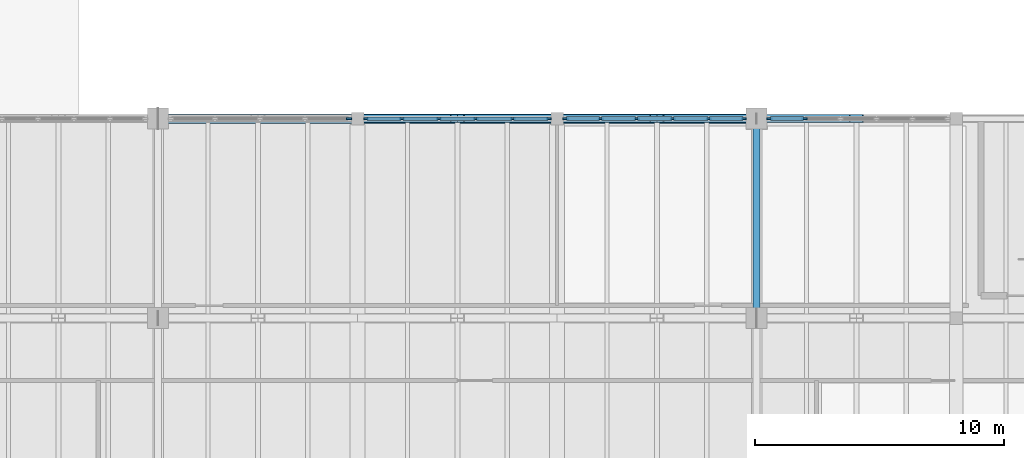
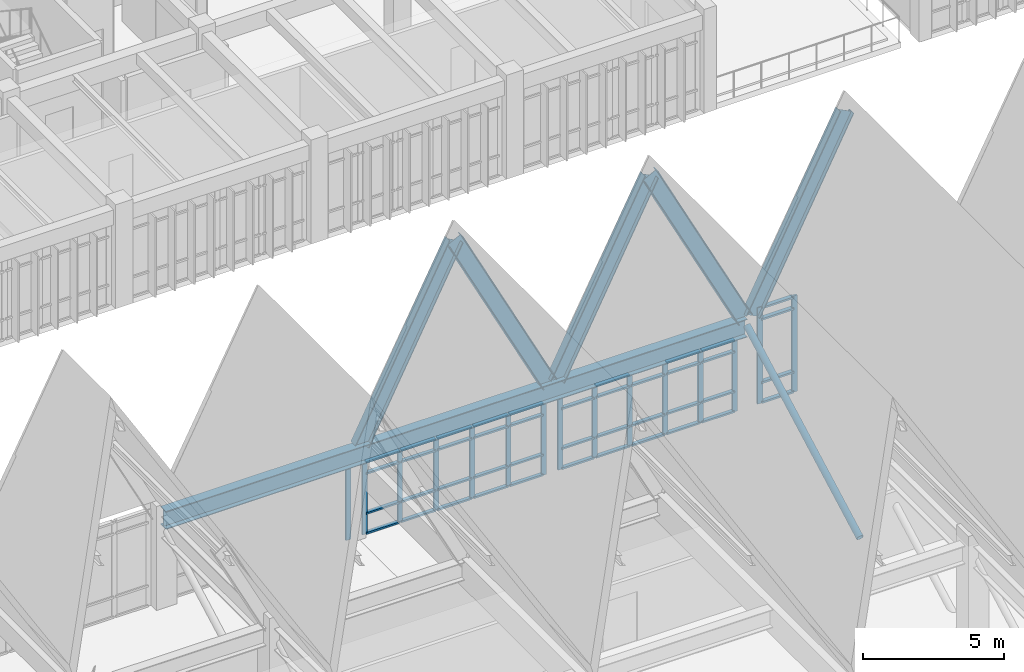
# One storey, part 18 of 72: 65 members, 1 beam, 4 elements without a shape of their own.
"""IFC4 building model written with IfcOpenShell, lengths in metres."""

import ifcopenshell
import ifcopenshell.guid

model = None  # the IFC model being written
_history = None  # IfcOwnerHistory: only IFC2X3 demands one
_inside = {}  # id of a spatial element -> (the spatial element, [elements in it])
_under = {}  # id of a project, library or spatial element -> (it, [spatial elements below it])
_declared = {}  # id of a project -> (the project, [libraries it declares])
_typed = {}  # id of a type object -> (the type object, [elements of that type])
_made_of = {}  # id of a material, layer set ... -> (it, [elements and type objects made of it])


def new_model(schema):
    """Start an empty IFC model of exactly this schema.

    Asked for "IFC4X3", IfcOpenShell would pick the latest addendum, in which some entities
    have other attributes; the version numbers below select the first issue.
    IFC2X3 requires an IfcOwnerHistory on every rooted entity: one is made here for all.
    """
    global model, _history
    if schema == "IFC4X3":
        model = ifcopenshell.file(schema_version=(4, 3, 0, 0))
    else:
        model = ifcopenshell.file(schema=schema)
    _inside.clear()
    _under.clear()
    _declared.clear()
    _typed.clear()
    _made_of.clear()
    _history = None
    if model.schema == "IFC2X3":
        org = make("IfcOrganization", Name="unknown")
        user = make(
            "IfcPersonAndOrganization",
            ThePerson=make("IfcPerson", FamilyName="unknown"),
            TheOrganization=org,
        )
        app = make(
            "IfcApplication",
            ApplicationDeveloper=org,
            Version="unknown",
            ApplicationFullName="unknown",
            ApplicationIdentifier="unknown",
        )
        _history = make(
            "IfcOwnerHistory",
            OwningUser=user,
            OwningApplication=app,
            ChangeAction="ADDED",
            CreationDate=0,
        )
    return model


def make(cls, **values):
    """One entity of the class cls with the attributes given. An attribute that is None is left unset."""
    return model.create_entity(
        cls, **{name: value for name, value in values.items() if value is not None}
    )


def rooted(cls, **values):
    """An entity with a GlobalId (a new one), such as an element, a storey or a relation."""
    return make(cls, GlobalId=ifcopenshell.guid.new(), OwnerHistory=_history, **values)


def si_unit(unit_type, name, prefix=None):
    """IfcSIUnit, for example si_unit("LENGTHUNIT", "METRE", prefix="MILLI")."""
    return make("IfcSIUnit", UnitType=unit_type, Prefix=prefix, Name=name)


def assignment(units):
    """IfcUnitAssignment: the units of a project."""
    return None if units is None else make("IfcUnitAssignment", Units=units)


def point(xyz):
    """IfcCartesianPoint."""
    return None if xyz is None else make("IfcCartesianPoint", Coordinates=xyz)


def direction(xyz):
    """IfcDirection."""
    return None if xyz is None else make("IfcDirection", DirectionRatios=xyz)


def frame(location, z_axis=None, x_axis=None):
    """IfcAxis2Placement3D, a coordinate frame: its origin and axes. An axis left out is left unset."""
    return make(
        "IfcAxis2Placement3D",
        Location=point(location),
        Axis=direction(z_axis),
        RefDirection=direction(x_axis),
    )


def frame_2d(location, x_axis=None):
    """IfcAxis2Placement2D, a coordinate frame in the plane: its origin and x axis."""
    return make(
        "IfcAxis2Placement2D", Location=point(location), RefDirection=direction(x_axis)
    )


def origin():
    """The frame at (0, 0, 0) with its axes left unset."""
    return frame((0.0, 0.0, 0.0))


def origin_2d():
    """The frame at (0, 0) in the plane with its x axis left unset."""
    return frame_2d((0.0, 0.0))


def place(relative_to, where):
    """IfcLocalPlacement: puts the frame where relative to a parent placement (None: the world)."""
    return make(
        "IfcLocalPlacement", PlacementRelTo=relative_to, RelativePlacement=where
    )


def context(
    kind, dimensions, precision=None, world=None, true_north=None, identifier=None
):
    """IfcGeometricRepresentationContext, for example the 3D "Model" context."""
    return make(
        "IfcGeometricRepresentationContext",
        ContextIdentifier=identifier,
        ContextType=kind,
        CoordinateSpaceDimension=dimensions,
        Precision=precision,
        WorldCoordinateSystem=world,
        TrueNorth=true_north,
    )


def subcontext(parent, identifier, kind, view, scale=None):
    """IfcGeometricRepresentationSubContext, for example "Body" below "Model"."""
    return make(
        "IfcGeometricRepresentationSubContext",
        ContextIdentifier=identifier,
        ContextType=kind,
        ParentContext=parent,
        TargetScale=scale,
        TargetView=view,
    )


def project(units=None, contexts=None):
    """IfcProject with its units and contexts."""
    return rooted(
        "IfcProject",
        Name="project",
        RepresentationContexts=contexts,
        UnitsInContext=assignment(units),
    )


def spatial(cls, under=None, at=None, **own):
    """A site, building, storey or space (cls), placed at a placement, below another one or the project."""
    s = rooted(cls, ObjectPlacement=at, **own)
    if under is not None:
        _under.setdefault(under.id(), (under, []))[1].append(s)
    return s


def profile(cls, at=None, kind="AREA", **sizes):
    """A parametric profile (cls). Its sizes go by their IFC names, for example OverallWidth=200.0."""
    return make(cls, ProfileType=kind, Position=at, **sizes)


def rectangle(**sizes):
    """IfcRectangleProfileDef."""
    return profile("IfcRectangleProfileDef", **sizes)


def hollow_circle(**sizes):
    """IfcCircleHollowProfileDef."""
    return profile("IfcCircleHollowProfileDef", **sizes)


def i_section(**sizes):
    """IfcIShapeProfileDef."""
    return profile("IfcIShapeProfileDef", **sizes)


def extrude(swept, where, along, depth):
    """IfcExtrudedAreaSolid: the profile swept, set in the frame where, extruded along a direction by depth."""
    return make(
        "IfcExtrudedAreaSolid",
        SweptArea=swept,
        Position=where,
        ExtrudedDirection=direction(along),
        Depth=depth,
    )


def shape(context_of_items, identifier, shape_type, items):
    """IfcShapeRepresentation: the items that make up one representation, for example the "Body"."""
    return make(
        "IfcShapeRepresentation",
        ContextOfItems=context_of_items,
        RepresentationIdentifier=identifier,
        RepresentationType=shape_type,
        Items=items,
    )


def material(Name=None, Category=None):
    """IfcMaterial."""
    return make("IfcMaterial", Name=Name, Category=Category)


def material_profile(
    of_material, cross_section, Name=None, Category=None, Priority=None
):
    """IfcMaterialProfile: a cross section and its material."""
    return make(
        "IfcMaterialProfile",
        Name=Name,
        Material=of_material,
        Profile=cross_section,
        Priority=Priority,
        Category=Category,
    )


def profile_set(profiles, Name=None, composite=None):
    """IfcMaterialProfileSet."""
    return make(
        "IfcMaterialProfileSet",
        Name=Name,
        MaterialProfiles=profiles,
        CompositeProfile=composite,
    )


def made_of(thing, what):
    """Note that an element or type object is made of a material, layer set ...; save() writes the relation."""
    if what is not None:
        _made_of.setdefault(what.id(), (what, []))[1].append(thing)
    return thing


def type_object(cls, material=None, **own):
    """A type object (cls), such as IfcWallType, which elements share."""
    return made_of(rooted(cls, **own), material)


def element(
    cls,
    number,
    at=None,
    inside=None,
    cuts=None,
    type_object=None,
    material=None,
    context=None,
    identifier="Body",
    shape_type=None,
    held_by="IfcProductDefinitionShape",
    body=None,
    shapes=None,
    **own,
):
    """One element of the class cls, such as IfcWall. Its Tag is "e" and its number.

    at: its placement. inside: the storey or other place that contains it. cuts: it is an
    opening in that element (IfcRelVoidsElement). A single representation is given by context,
    identifier, shape_type and body (its items); several are given by shapes. held_by: the class
    of the entity that holds the representations. save() writes the other relations.
    """
    e = rooted(cls, Tag="e%d" % number, ObjectPlacement=at, **own)
    if body is not None:
        shapes = [shape(context, identifier, shape_type, body)]
    if shapes is not None:
        e.Representation = make(held_by, Representations=shapes)
    if inside is not None:
        _inside.setdefault(inside.id(), (inside, []))[1].append(e)
    if cuts is not None:
        rooted(
            "IfcRelVoidsElement", RelatingBuildingElement=cuts, RelatedOpeningElement=e
        )
    if type_object is not None:
        _typed.setdefault(type_object.id(), (type_object, []))[1].append(e)
    return made_of(e, material)


def aggregate(whole, parts):
    """IfcRelAggregates: a whole, such as a stair, and the parts it consists of."""
    return rooted("IfcRelAggregates", RelatingObject=whole, RelatedObjects=parts)


def save(model, path):
    """Write the relations noted so far, then the file.

    IfcRelAggregates (storeys below a building ...), IfcRelContainedInSpatialStructure (elements
    in a storey), IfcRelDefinesByType, IfcRelAssociatesMaterial and IfcRelDeclares: one each for
    every whole, place, type object, material and project.
    """
    for whole, parts in _under.values():
        aggregate(whole, parts)
    for where, things in _inside.values():
        rooted(
            "IfcRelContainedInSpatialStructure",
            RelatedElements=things,
            RelatingStructure=where,
        )
    for kind, things in _typed.values():
        rooted("IfcRelDefinesByType", RelatedObjects=things, RelatingType=kind)
    for what, things in _made_of.values():
        rooted("IfcRelAssociatesMaterial", RelatedObjects=things, RelatingMaterial=what)
    for by, libraries in _declared.values():
        rooted("IfcRelDeclares", RelatingContext=by, RelatedDefinitions=libraries)
    model.write(path)


model = new_model("IFC4")

# Units and contexts
model_context = context("Model", 3, precision=1e-05, world=origin(), true_north=direction((0.0, 1.0)))
body_context = subcontext(model_context, "Body", "Model", "MODEL_VIEW")
ifc_project = project(units=[si_unit("LENGTHUNIT", "METRE"), si_unit("AREAUNIT", "SQUARE_METRE"), si_unit("VOLUMEUNIT", "CUBIC_METRE"), si_unit("PLANEANGLEUNIT", "RADIAN"), si_unit("MASSUNIT", "GRAM", prefix="KILO")], contexts=[model_context])

# Site, building, storey
site_placement = place(None, origin())
site = spatial("IfcSite", under=ifc_project, at=site_placement, CompositionType="ELEMENT")
building_placement = place(site_placement, origin())
building = spatial("IfcBuilding", under=site, at=building_placement, Name="Tlaxcora Railside Police Headquarters", CompositionType="ELEMENT")
storey_placement = place(building_placement, frame((0.0, 0.0, 13.5)))
storey = spatial("IfcBuildingStorey", under=building, at=storey_placement, Name="L03", CompositionType="ELEMENT", Elevation=13.5)

# Curtain wall, members
ifc_material_1 = material(Name="Thermally broken low-E insulated glazing", Category="glass")
curtain_wall_type_1 = type_object("IfcCurtainWallType", Name="Unitised Curtain Wall Assembly CW-23", PredefinedType="NOTDEFINED", material=ifc_material_1)
curtain_wall_1_placement = place(storey_placement, origin())
curtain_wall_1 = element("IfcCurtainWall", 1, at=curtain_wall_1_placement, inside=storey, type_object=curtain_wall_type_1, Name="V2 L03 curtain wall 16", PredefinedType="NOTDEFINED")
ifc_material_2 = material(Name="Anodised aluminium framing", Category="aluminium")
ifc_material_profile_1 = material_profile(ifc_material_2, rectangle(XDim=0.080078125, YDim=0.219970703125, at=origin_2d()), Name="AL80X220")
ifc_profile_set_1 = profile_set([ifc_material_profile_1], Name="Anodised aluminium framing")
member_type_1 = type_object("IfcMemberType", Name="Curtain Wall Mullion CW-31", PredefinedType="MULLION", material=ifc_profile_set_1)
member_1_placement = place(storey_placement, frame((87.919921875, 60.0, 0.0), z_axis=(0.0, 0.0, 1.0), x_axis=(0.0, -1.0, 0.0)))
member_1 = element("IfcMember", 2, at=member_1_placement, type_object=member_type_1, Name="CW mullion 5", PredefinedType="MULLION", context=body_context, shape_type="SweptSolid", body=[
    extrude(rectangle(XDim=0.080078125, YDim=0.219970703125, at=origin_2d()), origin(), (0.0, 0.0, 1.0), 4.169921875),
])
member_2_placement = place(storey_placement, frame((86.514892578125, 60.0, 0.0), z_axis=(0.0, 0.0, 1.0), x_axis=(0.0, -1.0, 0.0)))
member_2 = element("IfcMember", 3, at=member_2_placement, type_object=member_type_1, Name="CW mullion 6", PredefinedType="MULLION", context=body_context, shape_type="SweptSolid", body=[
    extrude(rectangle(XDim=0.080078125, YDim=0.219970703125, at=origin_2d()), origin(), (0.0, 0.0, 1.0), 4.169921875),
])

curtain_wall_type_2 = type_object("IfcCurtainWallType", Name="Unitised Curtain Wall Assembly CW-38", PredefinedType="NOTDEFINED", material=ifc_material_1)
curtain_wall_2_placement = place(storey_placement, origin())
curtain_wall_2 = element("IfcCurtainWall", 4, at=curtain_wall_2_placement, inside=storey, type_object=curtain_wall_type_2, Name="V2 L03 curtain wall 17", PredefinedType="NOTDEFINED")
ifc_material_profile_2 = material_profile(ifc_material_2, rectangle(XDim=0.074951171875, YDim=0.205078125, at=origin_2d()), Name="AL75X205")
ifc_profile_set_2 = profile_set([ifc_material_profile_2], Name="Anodised aluminium framing")
member_type_2 = type_object("IfcMemberType", Name="Curtain Wall Mullion CW-32", PredefinedType="MULLION", material=ifc_profile_set_2)
member_3_placement = place(storey_placement, frame((85.487548828125, 60.0, 0.0), z_axis=(0.0, 0.0, 1.0), x_axis=(0.0, -1.0, 0.0)))
member_3 = element("IfcMember", 5, at=member_3_placement, type_object=member_type_2, Name="CW mullion 1", PredefinedType="MULLION", context=body_context, shape_type="SweptSolid", body=[
    extrude(rectangle(XDim=0.074951171875, YDim=0.205078125, at=origin_2d()), origin(), (0.0, 0.0, 1.0), 3.155029296875),
])
member_4_placement = place(storey_placement, frame((84.080078125, 60.0, 0.0), z_axis=(0.0, 0.0, 1.0), x_axis=(0.0, -1.0, 0.0)))
member_4 = element("IfcMember", 6, at=member_4_placement, type_object=member_type_2, Name="CW mullion 2", PredefinedType="MULLION", context=body_context, shape_type="SweptSolid", body=[
    extrude(rectangle(XDim=0.074951171875, YDim=0.205078125, at=origin_2d()), origin(), (0.0, 0.0, 1.0), 3.155029296875),
])
member_5_placement = place(storey_placement, frame((82.635009765625, 60.0, 0.0), z_axis=(0.0, 0.0, 1.0), x_axis=(0.0, -1.0, 0.0)))
member_5 = element("IfcMember", 7, at=member_5_placement, type_object=member_type_2, Name="CW mullion 3", PredefinedType="MULLION", context=body_context, shape_type="SweptSolid", body=[
    extrude(rectangle(XDim=0.074951171875, YDim=0.205078125, at=origin_2d()), origin(), (0.0, 0.0, 1.0), 3.155029296875),
])
member_6_placement = place(storey_placement, frame((81.18994140625, 60.0, 0.0), z_axis=(0.0, 0.0, 1.0), x_axis=(0.0, -1.0, 0.0)))
member_6 = element("IfcMember", 8, at=member_6_placement, type_object=member_type_2, Name="CW mullion 4", PredefinedType="MULLION", context=body_context, shape_type="SweptSolid", body=[
    extrude(rectangle(XDim=0.074951171875, YDim=0.205078125, at=origin_2d()), origin(), (0.0, 0.0, 1.0), 3.155029296875),
])
member_7_placement = place(storey_placement, frame((79.7451171875, 60.0, 0.0), z_axis=(0.0, 0.0, 1.0), x_axis=(0.0, -1.0, 0.0)))
member_7 = element("IfcMember", 9, at=member_7_placement, type_object=member_type_2, Name="CW mullion 5", PredefinedType="MULLION", context=body_context, shape_type="SweptSolid", body=[
    extrude(rectangle(XDim=0.074951171875, YDim=0.205078125, at=origin_2d()), origin(), (0.0, 0.0, 1.0), 3.155029296875),
])
member_8_placement = place(storey_placement, frame((78.33740234375, 60.0, 0.0), z_axis=(0.0, 0.0, 1.0), x_axis=(0.0, -1.0, 0.0)))
member_8 = element("IfcMember", 10, at=member_8_placement, type_object=member_type_2, Name="CW mullion 6", PredefinedType="MULLION", context=body_context, shape_type="SweptSolid", body=[
    extrude(rectangle(XDim=0.074951171875, YDim=0.205078125, at=origin_2d()), origin(), (0.0, 0.0, 1.0), 3.155029296875),
])

curtain_wall_type_3 = type_object("IfcCurtainWallType", Name="Unitised Curtain Wall Assembly CW-15", PredefinedType="NOTDEFINED", material=ifc_material_1)
curtain_wall_3_placement = place(storey_placement, origin())
curtain_wall_3 = element("IfcCurtainWall", 11, at=curtain_wall_3_placement, inside=storey, type_object=curtain_wall_type_3, Name="V2 L03 curtain wall 18", PredefinedType="NOTDEFINED")
ifc_material_profile_3 = material_profile(ifc_material_2, rectangle(XDim=0.074951171875, YDim=0.199951171875, at=origin_2d()), Name="AL75X200")
ifc_profile_set_3 = profile_set([ifc_material_profile_3], Name="Anodised aluminium framing")
member_type_3 = type_object("IfcMemberType", Name="Curtain Wall Mullion CW-58", PredefinedType="MULLION", material=ifc_profile_set_3)
member_9_placement = place(storey_placement, frame((77.66259765625, 60.0, 0.0), z_axis=(0.0, 0.0, 1.0), x_axis=(0.0, -1.0, 0.0)))
member_9 = element("IfcMember", 12, at=member_9_placement, type_object=member_type_3, Name="CW mullion 1", PredefinedType="MULLION", context=body_context, shape_type="SweptSolid", body=[
    extrude(rectangle(XDim=0.074951171875, YDim=0.199951171875, at=origin_2d()), origin(), (0.0, 0.0, 1.0), 3.155029296875),
])
member_10_placement = place(storey_placement, frame((76.219970703125, 60.0, 0.0), z_axis=(0.0, 0.0, 1.0), x_axis=(0.0, -1.0, 0.0)))
member_10 = element("IfcMember", 13, at=member_10_placement, type_object=member_type_3, Name="CW mullion 2", PredefinedType="MULLION", context=body_context, shape_type="SweptSolid", body=[
    extrude(rectangle(XDim=0.074951171875, YDim=0.199951171875, at=origin_2d()), origin(), (0.0, 0.0, 1.0), 3.155029296875),
])
member_11_placement = place(storey_placement, frame((74.739990234375, 60.0, 0.0), z_axis=(0.0, 0.0, 1.0), x_axis=(0.0, -1.0, 0.0)))
member_11 = element("IfcMember", 14, at=member_11_placement, type_object=member_type_3, Name="CW mullion 3", PredefinedType="MULLION", context=body_context, shape_type="SweptSolid", body=[
    extrude(rectangle(XDim=0.074951171875, YDim=0.199951171875, at=origin_2d()), origin(), (0.0, 0.0, 1.0), 3.155029296875),
])
member_12_placement = place(storey_placement, frame((73.260009765625, 60.0, 0.0), z_axis=(0.0, 0.0, 1.0), x_axis=(0.0, -1.0, 0.0)))
member_12 = element("IfcMember", 15, at=member_12_placement, type_object=member_type_3, Name="CW mullion 4", PredefinedType="MULLION", context=body_context, shape_type="SweptSolid", body=[
    extrude(rectangle(XDim=0.074951171875, YDim=0.199951171875, at=origin_2d()), origin(), (0.0, 0.0, 1.0), 3.155029296875),
])
member_13_placement = place(storey_placement, frame((71.780029296875, 60.0, 0.0), z_axis=(0.0, 0.0, 1.0), x_axis=(0.0, -1.0, 0.0)))
member_13 = element("IfcMember", 16, at=member_13_placement, type_object=member_type_3, Name="CW mullion 5", PredefinedType="MULLION", context=body_context, shape_type="SweptSolid", body=[
    extrude(rectangle(XDim=0.074951171875, YDim=0.199951171875, at=origin_2d()), origin(), (0.0, 0.0, 1.0), 3.155029296875),
])
member_14_placement = place(storey_placement, frame((70.33740234375, 60.0, 0.0), z_axis=(0.0, 0.0, 1.0), x_axis=(0.0, -1.0, 0.0)))
member_14 = element("IfcMember", 17, at=member_14_placement, type_object=member_type_3, Name="CW mullion 6", PredefinedType="MULLION", context=body_context, shape_type="SweptSolid", body=[
    extrude(rectangle(XDim=0.074951171875, YDim=0.199951171875, at=origin_2d()), origin(), (0.0, 0.0, 1.0), 3.155029296875),
])

# Curtain wall, member
curtain_wall_type_4 = type_object("IfcCurtainWallType", Name="Unitised Curtain Wall Assembly CW-83", PredefinedType="NOTDEFINED", material=ifc_material_1)
curtain_wall_4_placement = place(storey_placement, origin())
curtain_wall_4 = element("IfcCurtainWall", 18, at=curtain_wall_4_placement, inside=storey, type_object=curtain_wall_type_4, Name="V2 L03 curtain wall 19", PredefinedType="NOTDEFINED")
ifc_material_profile_4 = material_profile(ifc_material_2, rectangle(XDim=0.080078125, YDim=0.2099609375, at=origin_2d()), Name="AL80X210")
ifc_profile_set_4 = profile_set([ifc_material_profile_4], Name="Anodised aluminium framing")
member_type_4 = type_object("IfcMemberType", Name="Curtain Wall Mullion CW-76", PredefinedType="MULLION", material=ifc_profile_set_4)
member_15_placement = place(storey_placement, frame((69.659912109375, 60.0, 0.0), z_axis=(0.0, 0.0, 1.0), x_axis=(0.0, -1.0, 0.0)))
member_15 = element("IfcMember", 19, at=member_15_placement, type_object=member_type_4, Name="CW mullion 1", PredefinedType="MULLION", context=body_context, shape_type="SweptSolid", body=[
    extrude(rectangle(XDim=0.080078125, YDim=0.2099609375, at=origin_2d()), origin(), (0.0, 0.0, 1.0), 3.155029296875),
])
aggregate(curtain_wall_4, [member_15])

# Member
ifc_material_profile_5 = material_profile(ifc_material_2, rectangle(XDim=0.14990234375, YDim=0.074951171875, at=origin_2d()), Name="AL75X150")
ifc_profile_set_5 = profile_set([ifc_material_profile_5], Name="Anodised aluminium framing")
member_type_5 = type_object("IfcMemberType", Name="Curtain Wall Transom CW-28", PredefinedType="USERDEFINED", material=ifc_profile_set_5)
member_16_placement = place(storey_placement, frame((77.625, 60.0, 0.03759765625), z_axis=(-1.0, 0.0, 0.0), x_axis=(0.0, -1.0, 0.0)))
member_16 = element("IfcMember", 20, at=member_16_placement, type_object=member_type_5, Name="CW transom 1.1", ObjectType="TRANSOM", PredefinedType="USERDEFINED", context=body_context, shape_type="SweptSolid", body=[
    extrude(rectangle(XDim=0.14990234375, YDim=0.074951171875, at=origin_2d()), origin(), (0.0, 0.0, 1.0), 1.367431640625),
])

member_17_placement = place(storey_placement, frame((77.625, 60.0, 0.89990234375), z_axis=(-1.0, 0.0, 0.0), x_axis=(0.0, -1.0, 0.0)))
member_17 = element("IfcMember", 21, at=member_17_placement, type_object=member_type_5, Name="CW transom 1.2", ObjectType="TRANSOM", PredefinedType="USERDEFINED", context=body_context, shape_type="SweptSolid", body=[
    extrude(rectangle(XDim=0.14990234375, YDim=0.074951171875, at=origin_2d()), origin(), (0.0, 0.0, 1.0), 1.367431640625),
])

member_18_placement = place(storey_placement, frame((77.625, 60.0, 2.625), z_axis=(-1.0, 0.0, 0.0), x_axis=(0.0, -1.0, 0.0)))
member_18 = element("IfcMember", 22, at=member_18_placement, type_object=member_type_5, Name="CW transom 1.3", ObjectType="TRANSOM", PredefinedType="USERDEFINED", context=body_context, shape_type="SweptSolid", body=[
    extrude(rectangle(XDim=0.14990234375, YDim=0.074951171875, at=origin_2d()), origin(), (0.0, 0.0, 1.0), 1.367431640625),
])

member_19_placement = place(storey_placement, frame((77.625, 60.0, 3.117431640625), z_axis=(-1.0, 0.0, 0.0), x_axis=(0.0, -1.0, 0.0)))
member_19 = element("IfcMember", 23, at=member_19_placement, type_object=member_type_5, Name="CW transom 1.4", ObjectType="TRANSOM", PredefinedType="USERDEFINED", context=body_context, shape_type="SweptSolid", body=[
    extrude(rectangle(XDim=0.14990234375, YDim=0.074951171875, at=origin_2d()), origin(), (0.0, 0.0, 1.0), 1.367431640625),
])

member_20_placement = place(storey_placement, frame((76.1826171875, 60.0, 0.03759765625), z_axis=(-1.0, 0.0, 0.0), x_axis=(0.0, -1.0, 0.0)))
member_20 = element("IfcMember", 24, at=member_20_placement, type_object=member_type_5, Name="CW transom 2.1", ObjectType="TRANSOM", PredefinedType="USERDEFINED", context=body_context, shape_type="SweptSolid", body=[
    extrude(rectangle(XDim=0.14990234375, YDim=0.074951171875, at=origin_2d()), origin(), (0.0, 0.0, 1.0), 1.405029296875),
])

member_21_placement = place(storey_placement, frame((76.1826171875, 60.0, 0.89990234375), z_axis=(-1.0, 0.0, 0.0), x_axis=(0.0, -1.0, 0.0)))
member_21 = element("IfcMember", 25, at=member_21_placement, type_object=member_type_5, Name="CW transom 2.2", ObjectType="TRANSOM", PredefinedType="USERDEFINED", context=body_context, shape_type="SweptSolid", body=[
    extrude(rectangle(XDim=0.14990234375, YDim=0.074951171875, at=origin_2d()), origin(), (0.0, 0.0, 1.0), 1.405029296875),
])

member_22_placement = place(storey_placement, frame((76.1826171875, 60.0, 2.625), z_axis=(-1.0, 0.0, 0.0), x_axis=(0.0, -1.0, 0.0)))
member_22 = element("IfcMember", 26, at=member_22_placement, type_object=member_type_5, Name="CW transom 2.3", ObjectType="TRANSOM", PredefinedType="USERDEFINED", context=body_context, shape_type="SweptSolid", body=[
    extrude(rectangle(XDim=0.14990234375, YDim=0.074951171875, at=origin_2d()), origin(), (0.0, 0.0, 1.0), 1.405029296875),
])

member_23_placement = place(storey_placement, frame((76.1826171875, 60.0, 3.117431640625), z_axis=(-1.0, 0.0, 0.0), x_axis=(0.0, -1.0, 0.0)))
member_23 = element("IfcMember", 27, at=member_23_placement, type_object=member_type_5, Name="CW transom 2.4", ObjectType="TRANSOM", PredefinedType="USERDEFINED", context=body_context, shape_type="SweptSolid", body=[
    extrude(rectangle(XDim=0.14990234375, YDim=0.074951171875, at=origin_2d()), origin(), (0.0, 0.0, 1.0), 1.405029296875),
])

member_24_placement = place(storey_placement, frame((74.702392578125, 60.0, 0.03759765625), z_axis=(-1.0, 0.0, 0.0), x_axis=(0.0, -1.0, 0.0)))
member_24 = element("IfcMember", 28, at=member_24_placement, type_object=member_type_5, Name="CW transom 3.1", ObjectType="TRANSOM", PredefinedType="USERDEFINED", context=body_context, shape_type="SweptSolid", body=[
    extrude(rectangle(XDim=0.14990234375, YDim=0.074951171875, at=origin_2d()), origin(), (0.0, 0.0, 1.0), 1.40478515625),
])

member_25_placement = place(storey_placement, frame((74.702392578125, 60.0, 0.89990234375), z_axis=(-1.0, 0.0, 0.0), x_axis=(0.0, -1.0, 0.0)))
member_25 = element("IfcMember", 29, at=member_25_placement, type_object=member_type_5, Name="CW transom 3.2", ObjectType="TRANSOM", PredefinedType="USERDEFINED", context=body_context, shape_type="SweptSolid", body=[
    extrude(rectangle(XDim=0.14990234375, YDim=0.074951171875, at=origin_2d()), origin(), (0.0, 0.0, 1.0), 1.40478515625),
])

member_26_placement = place(storey_placement, frame((74.702392578125, 60.0, 2.625), z_axis=(-1.0, 0.0, 0.0), x_axis=(0.0, -1.0, 0.0)))
member_26 = element("IfcMember", 30, at=member_26_placement, type_object=member_type_5, Name="CW transom 3.3", ObjectType="TRANSOM", PredefinedType="USERDEFINED", context=body_context, shape_type="SweptSolid", body=[
    extrude(rectangle(XDim=0.14990234375, YDim=0.074951171875, at=origin_2d()), origin(), (0.0, 0.0, 1.0), 1.40478515625),
])

member_27_placement = place(storey_placement, frame((74.702392578125, 60.0, 3.117431640625), z_axis=(-1.0, 0.0, 0.0), x_axis=(0.0, -1.0, 0.0)))
member_27 = element("IfcMember", 31, at=member_27_placement, type_object=member_type_5, Name="CW transom 3.4", ObjectType="TRANSOM", PredefinedType="USERDEFINED", context=body_context, shape_type="SweptSolid", body=[
    extrude(rectangle(XDim=0.14990234375, YDim=0.074951171875, at=origin_2d()), origin(), (0.0, 0.0, 1.0), 1.40478515625),
])

member_28_placement = place(storey_placement, frame((73.222412109375, 60.0, 0.03759765625), z_axis=(-1.0, 0.0, 0.0), x_axis=(0.0, -1.0, 0.0)))
member_28 = element("IfcMember", 32, at=member_28_placement, type_object=member_type_5, Name="CW transom 4.1", ObjectType="TRANSOM", PredefinedType="USERDEFINED", context=body_context, shape_type="SweptSolid", body=[
    extrude(rectangle(XDim=0.14990234375, YDim=0.074951171875, at=origin_2d()), origin(), (0.0, 0.0, 1.0), 1.405029296875),
])

member_29_placement = place(storey_placement, frame((73.222412109375, 60.0, 0.89990234375), z_axis=(-1.0, 0.0, 0.0), x_axis=(0.0, -1.0, 0.0)))
member_29 = element("IfcMember", 33, at=member_29_placement, type_object=member_type_5, Name="CW transom 4.2", ObjectType="TRANSOM", PredefinedType="USERDEFINED", context=body_context, shape_type="SweptSolid", body=[
    extrude(rectangle(XDim=0.14990234375, YDim=0.074951171875, at=origin_2d()), origin(), (0.0, 0.0, 1.0), 1.405029296875),
])

member_30_placement = place(storey_placement, frame((73.222412109375, 60.0, 2.625), z_axis=(-1.0, 0.0, 0.0), x_axis=(0.0, -1.0, 0.0)))
member_30 = element("IfcMember", 34, at=member_30_placement, type_object=member_type_5, Name="CW transom 4.3", ObjectType="TRANSOM", PredefinedType="USERDEFINED", context=body_context, shape_type="SweptSolid", body=[
    extrude(rectangle(XDim=0.14990234375, YDim=0.074951171875, at=origin_2d()), origin(), (0.0, 0.0, 1.0), 1.405029296875),
])

member_31_placement = place(storey_placement, frame((73.222412109375, 60.0, 3.117431640625), z_axis=(-1.0, 0.0, 0.0), x_axis=(0.0, -1.0, 0.0)))
member_31 = element("IfcMember", 35, at=member_31_placement, type_object=member_type_5, Name="CW transom 4.4", ObjectType="TRANSOM", PredefinedType="USERDEFINED", context=body_context, shape_type="SweptSolid", body=[
    extrude(rectangle(XDim=0.14990234375, YDim=0.074951171875, at=origin_2d()), origin(), (0.0, 0.0, 1.0), 1.405029296875),
])

member_32_placement = place(storey_placement, frame((71.742431640625, 60.0, 0.03759765625), z_axis=(-1.0, 0.0, 0.0), x_axis=(0.0, -1.0, 0.0)))
member_32 = element("IfcMember", 36, at=member_32_placement, type_object=member_type_5, Name="CW transom 5.1", ObjectType="TRANSOM", PredefinedType="USERDEFINED", context=body_context, shape_type="SweptSolid", body=[
    extrude(rectangle(XDim=0.14990234375, YDim=0.074951171875, at=origin_2d()), origin(), (0.0, 0.0, 1.0), 1.367431640625),
])

member_33_placement = place(storey_placement, frame((71.742431640625, 60.0, 0.89990234375), z_axis=(-1.0, 0.0, 0.0), x_axis=(0.0, -1.0, 0.0)))
member_33 = element("IfcMember", 37, at=member_33_placement, type_object=member_type_5, Name="CW transom 5.2", ObjectType="TRANSOM", PredefinedType="USERDEFINED", context=body_context, shape_type="SweptSolid", body=[
    extrude(rectangle(XDim=0.14990234375, YDim=0.074951171875, at=origin_2d()), origin(), (0.0, 0.0, 1.0), 1.367431640625),
])

member_34_placement = place(storey_placement, frame((71.742431640625, 60.0, 2.625), z_axis=(-1.0, 0.0, 0.0), x_axis=(0.0, -1.0, 0.0)))
member_34 = element("IfcMember", 38, at=member_34_placement, type_object=member_type_5, Name="CW transom 5.3", ObjectType="TRANSOM", PredefinedType="USERDEFINED", context=body_context, shape_type="SweptSolid", body=[
    extrude(rectangle(XDim=0.14990234375, YDim=0.074951171875, at=origin_2d()), origin(), (0.0, 0.0, 1.0), 1.367431640625),
])

member_35_placement = place(storey_placement, frame((71.742431640625, 60.0, 3.117431640625), z_axis=(-1.0, 0.0, 0.0), x_axis=(0.0, -1.0, 0.0)))
member_35 = element("IfcMember", 39, at=member_35_placement, type_object=member_type_5, Name="CW transom 5.4", ObjectType="TRANSOM", PredefinedType="USERDEFINED", context=body_context, shape_type="SweptSolid", body=[
    extrude(rectangle(XDim=0.14990234375, YDim=0.074951171875, at=origin_2d()), origin(), (0.0, 0.0, 1.0), 1.367431640625),
])

aggregate(curtain_wall_3, [member_9, member_10, member_11, member_12, member_13, member_14, member_16, member_17, member_18, member_19, member_20, member_21, member_22, member_23, member_24, member_25, member_26, member_27, member_28, member_29, member_30, member_31, member_32, member_33, member_34, member_35])

ifc_material_profile_6 = material_profile(ifc_material_2, rectangle(XDim=0.155029296875, YDim=0.074951171875, at=origin_2d()), Name="AL75X155")
ifc_profile_set_6 = profile_set([ifc_material_profile_6], Name="Anodised aluminium framing")
member_type_6 = type_object("IfcMemberType", Name="Curtain Wall Transom CW-30", PredefinedType="USERDEFINED", material=ifc_profile_set_6)
member_36_placement = place(storey_placement, frame((85.449951171875, 60.0, 0.03759765625), z_axis=(-1.0, 0.0, 0.0), x_axis=(0.0, -1.0, 0.0)))
member_36 = element("IfcMember", 40, at=member_36_placement, type_object=member_type_6, Name="CW transom 1.1", ObjectType="TRANSOM", PredefinedType="USERDEFINED", context=body_context, shape_type="SweptSolid", body=[
    extrude(rectangle(XDim=0.155029296875, YDim=0.074951171875, at=origin_2d()), origin(), (0.0, 0.0, 1.0), 1.33251953125),
])

member_37_placement = place(storey_placement, frame((85.449951171875, 60.0, 0.89990234375), z_axis=(-1.0, 0.0, 0.0), x_axis=(0.0, -1.0, 0.0)))
member_37 = element("IfcMember", 41, at=member_37_placement, type_object=member_type_6, Name="CW transom 1.2", ObjectType="TRANSOM", PredefinedType="USERDEFINED", context=body_context, shape_type="SweptSolid", body=[
    extrude(rectangle(XDim=0.155029296875, YDim=0.074951171875, at=origin_2d()), origin(), (0.0, 0.0, 1.0), 1.33251953125),
])

member_38_placement = place(storey_placement, frame((85.449951171875, 60.0, 2.625), z_axis=(-1.0, 0.0, 0.0), x_axis=(0.0, -1.0, 0.0)))
member_38 = element("IfcMember", 42, at=member_38_placement, type_object=member_type_6, Name="CW transom 1.3", ObjectType="TRANSOM", PredefinedType="USERDEFINED", context=body_context, shape_type="SweptSolid", body=[
    extrude(rectangle(XDim=0.155029296875, YDim=0.074951171875, at=origin_2d()), origin(), (0.0, 0.0, 1.0), 1.33251953125),
])

member_39_placement = place(storey_placement, frame((85.449951171875, 60.0, 3.117431640625), z_axis=(-1.0, 0.0, 0.0), x_axis=(0.0, -1.0, 0.0)))
member_39 = element("IfcMember", 43, at=member_39_placement, type_object=member_type_6, Name="CW transom 1.4", ObjectType="TRANSOM", PredefinedType="USERDEFINED", context=body_context, shape_type="SweptSolid", body=[
    extrude(rectangle(XDim=0.155029296875, YDim=0.074951171875, at=origin_2d()), origin(), (0.0, 0.0, 1.0), 1.33251953125),
])

member_40_placement = place(storey_placement, frame((84.04248046875, 60.0, 0.03759765625), z_axis=(-1.0, 0.0, 0.0), x_axis=(0.0, -1.0, 0.0)))
member_40 = element("IfcMember", 44, at=member_40_placement, type_object=member_type_6, Name="CW transom 2.1", ObjectType="TRANSOM", PredefinedType="USERDEFINED", context=body_context, shape_type="SweptSolid", body=[
    extrude(rectangle(XDim=0.155029296875, YDim=0.074951171875, at=origin_2d()), origin(), (0.0, 0.0, 1.0), 1.369873046875),
])

member_41_placement = place(storey_placement, frame((84.04248046875, 60.0, 0.89990234375), z_axis=(-1.0, 0.0, 0.0), x_axis=(0.0, -1.0, 0.0)))
member_41 = element("IfcMember", 45, at=member_41_placement, type_object=member_type_6, Name="CW transom 2.2", ObjectType="TRANSOM", PredefinedType="USERDEFINED", context=body_context, shape_type="SweptSolid", body=[
    extrude(rectangle(XDim=0.155029296875, YDim=0.074951171875, at=origin_2d()), origin(), (0.0, 0.0, 1.0), 1.369873046875),
])

member_42_placement = place(storey_placement, frame((84.04248046875, 60.0, 2.625), z_axis=(-1.0, 0.0, 0.0), x_axis=(0.0, -1.0, 0.0)))
member_42 = element("IfcMember", 46, at=member_42_placement, type_object=member_type_6, Name="CW transom 2.3", ObjectType="TRANSOM", PredefinedType="USERDEFINED", context=body_context, shape_type="SweptSolid", body=[
    extrude(rectangle(XDim=0.155029296875, YDim=0.074951171875, at=origin_2d()), origin(), (0.0, 0.0, 1.0), 1.369873046875),
])

member_43_placement = place(storey_placement, frame((84.04248046875, 60.0, 3.117431640625), z_axis=(-1.0, 0.0, 0.0), x_axis=(0.0, -1.0, 0.0)))
member_43 = element("IfcMember", 47, at=member_43_placement, type_object=member_type_6, Name="CW transom 2.4", ObjectType="TRANSOM", PredefinedType="USERDEFINED", context=body_context, shape_type="SweptSolid", body=[
    extrude(rectangle(XDim=0.155029296875, YDim=0.074951171875, at=origin_2d()), origin(), (0.0, 0.0, 1.0), 1.369873046875),
])

member_44_placement = place(storey_placement, frame((82.597412109375, 60.0, 0.03759765625), z_axis=(-1.0, 0.0, 0.0), x_axis=(0.0, -1.0, 0.0)))
member_44 = element("IfcMember", 48, at=member_44_placement, type_object=member_type_6, Name="CW transom 3.1", ObjectType="TRANSOM", PredefinedType="USERDEFINED", context=body_context, shape_type="SweptSolid", body=[
    extrude(rectangle(XDim=0.155029296875, YDim=0.074951171875, at=origin_2d()), origin(), (0.0, 0.0, 1.0), 1.369873046875),
])

member_45_placement = place(storey_placement, frame((82.597412109375, 60.0, 0.89990234375), z_axis=(-1.0, 0.0, 0.0), x_axis=(0.0, -1.0, 0.0)))
member_45 = element("IfcMember", 49, at=member_45_placement, type_object=member_type_6, Name="CW transom 3.2", ObjectType="TRANSOM", PredefinedType="USERDEFINED", context=body_context, shape_type="SweptSolid", body=[
    extrude(rectangle(XDim=0.155029296875, YDim=0.074951171875, at=origin_2d()), origin(), (0.0, 0.0, 1.0), 1.369873046875),
])

member_46_placement = place(storey_placement, frame((82.597412109375, 60.0, 2.625), z_axis=(-1.0, 0.0, 0.0), x_axis=(0.0, -1.0, 0.0)))
member_46 = element("IfcMember", 50, at=member_46_placement, type_object=member_type_6, Name="CW transom 3.3", ObjectType="TRANSOM", PredefinedType="USERDEFINED", context=body_context, shape_type="SweptSolid", body=[
    extrude(rectangle(XDim=0.155029296875, YDim=0.074951171875, at=origin_2d()), origin(), (0.0, 0.0, 1.0), 1.369873046875),
])

member_47_placement = place(storey_placement, frame((82.597412109375, 60.0, 3.117431640625), z_axis=(-1.0, 0.0, 0.0), x_axis=(0.0, -1.0, 0.0)))
member_47 = element("IfcMember", 51, at=member_47_placement, type_object=member_type_6, Name="CW transom 3.4", ObjectType="TRANSOM", PredefinedType="USERDEFINED", context=body_context, shape_type="SweptSolid", body=[
    extrude(rectangle(XDim=0.155029296875, YDim=0.074951171875, at=origin_2d()), origin(), (0.0, 0.0, 1.0), 1.369873046875),
])

member_48_placement = place(storey_placement, frame((81.152587890625, 60.0, 0.03759765625), z_axis=(-1.0, 0.0, 0.0), x_axis=(0.0, -1.0, 0.0)))
member_48 = element("IfcMember", 52, at=member_48_placement, type_object=member_type_6, Name="CW transom 4.1", ObjectType="TRANSOM", PredefinedType="USERDEFINED", context=body_context, shape_type="SweptSolid", body=[
    extrude(rectangle(XDim=0.155029296875, YDim=0.074951171875, at=origin_2d()), origin(), (0.0, 0.0, 1.0), 1.3701171875),
])

member_49_placement = place(storey_placement, frame((81.152587890625, 60.0, 0.89990234375), z_axis=(-1.0, 0.0, 0.0), x_axis=(0.0, -1.0, 0.0)))
member_49 = element("IfcMember", 53, at=member_49_placement, type_object=member_type_6, Name="CW transom 4.2", ObjectType="TRANSOM", PredefinedType="USERDEFINED", context=body_context, shape_type="SweptSolid", body=[
    extrude(rectangle(XDim=0.155029296875, YDim=0.074951171875, at=origin_2d()), origin(), (0.0, 0.0, 1.0), 1.3701171875),
])

member_50_placement = place(storey_placement, frame((81.152587890625, 60.0, 2.625), z_axis=(-1.0, 0.0, 0.0), x_axis=(0.0, -1.0, 0.0)))
member_50 = element("IfcMember", 54, at=member_50_placement, type_object=member_type_6, Name="CW transom 4.3", ObjectType="TRANSOM", PredefinedType="USERDEFINED", context=body_context, shape_type="SweptSolid", body=[
    extrude(rectangle(XDim=0.155029296875, YDim=0.074951171875, at=origin_2d()), origin(), (0.0, 0.0, 1.0), 1.3701171875),
])

member_51_placement = place(storey_placement, frame((81.152587890625, 60.0, 3.117431640625), z_axis=(-1.0, 0.0, 0.0), x_axis=(0.0, -1.0, 0.0)))
member_51 = element("IfcMember", 55, at=member_51_placement, type_object=member_type_6, Name="CW transom 4.4", ObjectType="TRANSOM", PredefinedType="USERDEFINED", context=body_context, shape_type="SweptSolid", body=[
    extrude(rectangle(XDim=0.155029296875, YDim=0.074951171875, at=origin_2d()), origin(), (0.0, 0.0, 1.0), 1.3701171875),
])

member_52_placement = place(storey_placement, frame((79.70751953125, 60.0, 0.03759765625), z_axis=(-1.0, 0.0, 0.0), x_axis=(0.0, -1.0, 0.0)))
member_52 = element("IfcMember", 56, at=member_52_placement, type_object=member_type_6, Name="CW transom 5.1", ObjectType="TRANSOM", PredefinedType="USERDEFINED", context=body_context, shape_type="SweptSolid", body=[
    extrude(rectangle(XDim=0.155029296875, YDim=0.074951171875, at=origin_2d()), origin(), (0.0, 0.0, 1.0), 1.33251953125),
])

member_53_placement = place(storey_placement, frame((79.70751953125, 60.0, 0.89990234375), z_axis=(-1.0, 0.0, 0.0), x_axis=(0.0, -1.0, 0.0)))
member_53 = element("IfcMember", 57, at=member_53_placement, type_object=member_type_6, Name="CW transom 5.2", ObjectType="TRANSOM", PredefinedType="USERDEFINED", context=body_context, shape_type="SweptSolid", body=[
    extrude(rectangle(XDim=0.155029296875, YDim=0.074951171875, at=origin_2d()), origin(), (0.0, 0.0, 1.0), 1.33251953125),
])

member_54_placement = place(storey_placement, frame((79.70751953125, 60.0, 2.625), z_axis=(-1.0, 0.0, 0.0), x_axis=(0.0, -1.0, 0.0)))
member_54 = element("IfcMember", 58, at=member_54_placement, type_object=member_type_6, Name="CW transom 5.3", ObjectType="TRANSOM", PredefinedType="USERDEFINED", context=body_context, shape_type="SweptSolid", body=[
    extrude(rectangle(XDim=0.155029296875, YDim=0.074951171875, at=origin_2d()), origin(), (0.0, 0.0, 1.0), 1.33251953125),
])

member_55_placement = place(storey_placement, frame((79.70751953125, 60.0, 3.117431640625), z_axis=(-1.0, 0.0, 0.0), x_axis=(0.0, -1.0, 0.0)))
member_55 = element("IfcMember", 59, at=member_55_placement, type_object=member_type_6, Name="CW transom 5.4", ObjectType="TRANSOM", PredefinedType="USERDEFINED", context=body_context, shape_type="SweptSolid", body=[
    extrude(rectangle(XDim=0.155029296875, YDim=0.074951171875, at=origin_2d()), origin(), (0.0, 0.0, 1.0), 1.33251953125),
])

aggregate(curtain_wall_2, [member_3, member_4, member_5, member_6, member_7, member_8, member_36, member_37, member_38, member_39, member_40, member_41, member_42, member_43, member_44, member_45, member_46, member_47, member_48, member_49, member_50, member_51, member_52, member_53, member_54, member_55])

ifc_material_profile_7 = material_profile(ifc_material_2, rectangle(XDim=0.1650390625, YDim=0.080078125, at=origin_2d()), Name="AL80X165")
ifc_profile_set_7 = profile_set([ifc_material_profile_7], Name="Anodised aluminium framing")
member_type_7 = type_object("IfcMemberType", Name="Curtain Wall Transom CW-62", PredefinedType="USERDEFINED", material=ifc_profile_set_7)
member_56_placement = place(storey_placement, frame((87.8798828125, 60.0, 0.0400390625), z_axis=(-1.0, 0.0, 0.0), x_axis=(0.0, -1.0, 0.0)))
member_56 = element("IfcMember", 60, at=member_56_placement, type_object=member_type_7, Name="CW transom 5.1", ObjectType="TRANSOM", PredefinedType="USERDEFINED", context=body_context, shape_type="SweptSolid", body=[
    extrude(rectangle(XDim=0.1650390625, YDim=0.080078125, at=origin_2d()), origin(), (0.0, 0.0, 1.0), 1.324951171875),
])

member_57_placement = place(storey_placement, frame((87.8798828125, 60.0, 0.89990234375), z_axis=(-1.0, 0.0, 0.0), x_axis=(0.0, -1.0, 0.0)))
member_57 = element("IfcMember", 61, at=member_57_placement, type_object=member_type_7, Name="CW transom 5.2", ObjectType="TRANSOM", PredefinedType="USERDEFINED", context=body_context, shape_type="SweptSolid", body=[
    extrude(rectangle(XDim=0.1650390625, YDim=0.080078125, at=origin_2d()), origin(), (0.0, 0.0, 1.0), 1.324951171875),
])

member_58_placement = place(storey_placement, frame((87.8798828125, 60.0, 3.639892578125), z_axis=(-1.0, 0.0, 0.0), x_axis=(0.0, -1.0, 0.0)))
member_58 = element("IfcMember", 62, at=member_58_placement, type_object=member_type_7, Name="CW transom 5.3", ObjectType="TRANSOM", PredefinedType="USERDEFINED", context=body_context, shape_type="SweptSolid", body=[
    extrude(rectangle(XDim=0.1650390625, YDim=0.080078125, at=origin_2d()), origin(), (0.0, 0.0, 1.0), 1.324951171875),
])

member_59_placement = place(storey_placement, frame((87.8798828125, 60.0, 4.1298828125), z_axis=(-1.0, 0.0, 0.0), x_axis=(0.0, -1.0, 0.0)))
member_59 = element("IfcMember", 63, at=member_59_placement, type_object=member_type_7, Name="CW transom 5.4", ObjectType="TRANSOM", PredefinedType="USERDEFINED", context=body_context, shape_type="SweptSolid", body=[
    extrude(rectangle(XDim=0.1650390625, YDim=0.080078125, at=origin_2d()), origin(), (0.0, 0.0, 1.0), 1.324951171875),
])

aggregate(curtain_wall_1, [member_1, member_2, member_56, member_57, member_58, member_59])

ifc_material_3 = material(Name="Steel ASTM A992 Grade 50", Category="steel")
ifc_material_profile_8 = material_profile(ifc_material_3, hollow_circle(Radius=0.136474609375, WallThickness=0.011962890625, at=origin_2d()), Name="CHS273X12")
ifc_profile_set_8 = profile_set([ifc_material_profile_8], Name="Steel ASTM A992 Grade 50")
member_type_8 = type_object("IfcMemberType", Name="Diagonal Brace Member MB-16", PredefinedType="BRACE", material=ifc_profile_set_8)
member_60_placement = place(storey_placement, frame((86.0, 60.0, 3.52001953125), z_axis=(0.0, -0.879902254176, -0.475154735951), x_axis=(1.0, 0.0, 0.0)))
element("IfcMember", 64, at=member_60_placement, inside=storey, type_object=member_type_8, Name="Truss TR-3 L03 web diagonal 1", PredefinedType="BRACE", context=body_context, shape_type="SweptSolid", body=[
    extrude(hollow_circle(Radius=0.136474609375, WallThickness=0.011962890625, at=origin_2d()), origin(), (0.0, 0.0, 1.0), 9.092041015625),
])

# Beam
ifc_material_profile_9 = material_profile(ifc_material_3, i_section(OverallWidth=0.384033203125, OverallDepth=0.784912109375, WebThickness=0.019775390625, FlangeThickness=0.033447265625, at=origin_2d()), Name="W30X211")
ifc_profile_set_9 = profile_set([ifc_material_profile_9], Name="Steel ASTM A992 Grade 50")
beam_type = type_object("IfcBeamType", Name="Primary Frame Girder BM-53", PredefinedType="BEAM", material=ifc_profile_set_9)
beam_placement = place(storey_placement, frame((62.10009765625, 60.0, 3.5673828125), z_axis=(1.0, 0.0, 0.0), x_axis=(0.0, 1.0, 0.0)))
element("IfcBeam", 65, at=beam_placement, inside=storey, type_object=beam_type, Name="Sawtooth roof tie girder Y=60.0", PredefinedType="BEAM", context=body_context, shape_type="SweptSolid", body=[
    extrude(i_section(OverallWidth=0.384033203125, OverallDepth=0.784912109375, WebThickness=0.019775390625, FlangeThickness=0.033447265625, at=origin_2d()), origin(), (0.0, 0.0, 1.0), 23.7998046875),
])

# Members
ifc_material_profile_10 = material_profile(ifc_material_3, i_section(OverallWidth=0.3291015625, OverallDepth=0.635009765625, WebThickness=0.017822265625, FlangeThickness=0.031005859375, at=origin_2d()), Name="W24X162")
ifc_profile_set_10 = profile_set([ifc_material_profile_10], Name="Steel ASTM A992 Grade 50")
member_type_9 = type_object("IfcMemberType", Name="Truss Chord Member MB-35", PredefinedType="CHORD", material=ifc_profile_set_10)
for number, where, z_axis, x_axis, name in (
    (66, (70.14990234375, 60.0, 3.919921875), (0.455243807773, 0.0, 0.890366820745), (0.0, 1.0, 0.0), "Sawtooth rafter 4W Y=60.0"),
    (67, (77.85009765625, 60.0, 3.919921875), (-0.455243807773, 0.0, 0.890366820745), (0.0, -1.0, 0.0), "Sawtooth rafter 4E Y=60.0"),
    (68, (78.14990234375, 60.0, 3.919921875), (0.455243807773, 0.0, 0.890366820745), (0.0, 1.0, 0.0), "Sawtooth rafter 5W Y=60.0"),
    (69, (85.85009765625, 60.0, 3.919921875), (-0.455243807773, 0.0, 0.890366820745), (0.0, -1.0, 0.0), "Sawtooth rafter 5E Y=60.0"),
    (70, (86.14990234375, 60.0, 3.919921875), (0.455243807773, 0.0, 0.890366820745), (0.0, 1.0, 0.0), "Sawtooth rafter 6W Y=60.0"),
):
    element("IfcMember", number, at=place(storey_placement, frame(where, z_axis=z_axis, x_axis=x_axis)), inside=storey, type_object=member_type_9, Name=name, PredefinedType="CHORD", context=body_context, shape_type="SweptSolid", body=[
        extrude(i_section(OverallWidth=0.3291015625, OverallDepth=0.635009765625, WebThickness=0.017822265625, FlangeThickness=0.031005859375, at=origin_2d()), origin(), (0.0, 0.0, 1.0), 8.457275390625),
    ])

save(model, "model.ifc")
